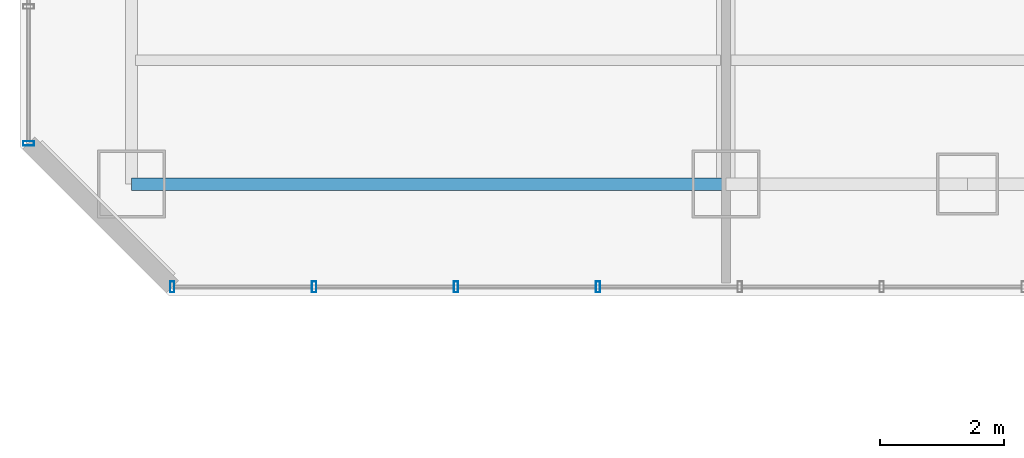
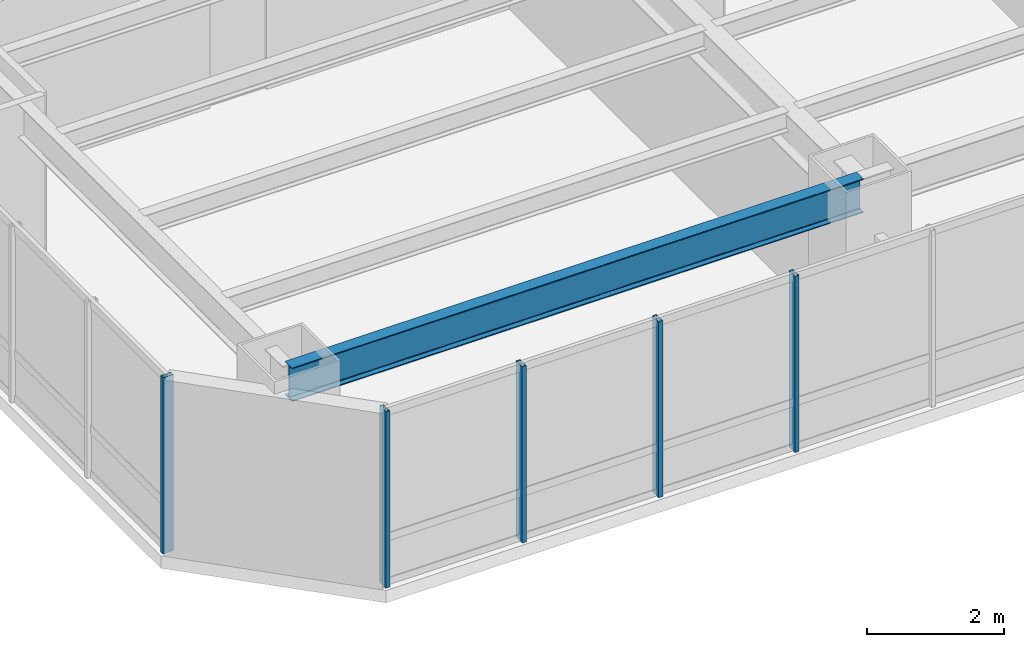
# One storey, part 2 of 33: 5 members, 1 beam, 2 elements without a shape of their own.
"""IFC4 building model written with IfcOpenShell, lengths in metres."""

from ifc_helpers import new_model, si_unit, direction, frame, origin, origin_2d, place, context, subcontext, project, spatial, hollow_rectangle, i_section, extrude, material, layer, layer_set, material_profile, profile_set, type_object, element, aggregate, save


model = new_model("IFC4")

# Units and contexts
model_context = context("Model", 3, precision=1e-05, world=origin(), true_north=direction((0.0, 1.0)))
body_context = subcontext(model_context, "Body", "Model", "MODEL_VIEW")
ifc_project = project(units=[si_unit("LENGTHUNIT", "METRE"), si_unit("AREAUNIT", "SQUARE_METRE"), si_unit("VOLUMEUNIT", "CUBIC_METRE"), si_unit("PLANEANGLEUNIT", "RADIAN"), si_unit("MASSUNIT", "GRAM", prefix="KILO")], contexts=[model_context])

# Site, building, storey
site_placement = place(None, origin())
site = spatial("IfcSite", under=ifc_project, at=site_placement, CompositionType="ELEMENT")
building_placement = place(site_placement, origin())
building = spatial("IfcBuilding", under=site, at=building_placement, Name="Hatsunagi Terrace Concourse", CompositionType="ELEMENT")
storey_placement = place(building_placement, frame((0.0, 0.0, 53.35009765625)))
storey = spatial("IfcBuildingStorey", under=building, at=storey_placement, Name="L13", CompositionType="ELEMENT", Elevation=53.35009765625)

# Curtain wall, members
ifc_material_1 = material(Name="Anodised Aluminium Alloy 6063-T5", Category="aluminium")
ifc_layer = layer(ifc_material_1, 0.199951171875)
ifc_layer_set = layer_set([ifc_layer], Name="HotelFacade_CW02")
curtain_wall_type = type_object("IfcCurtainWallType", Name="HotelFacade_CW02", PredefinedType="NOTDEFINED", material=ifc_layer_set)
curtain_wall_1_placement = place(storey_placement, origin())
curtain_wall_1 = element("IfcCurtainWall", 1, at=curtain_wall_1_placement, inside=storey, type_object=curtain_wall_type, Name="Unitised Curtain Wall CW-02 CW-L13-07", PredefinedType="NOTDEFINED")
ifc_material_2 = material(Name="Anodised Aluminium Alloy 6063-T5", Category="aluminium")
ifc_material_profile_1 = material_profile(ifc_material_2, hollow_rectangle(XDim=0.070068359375, YDim=0.179931640625, WallThickness=0.00390625, at=origin_2d()), Name="ALU-MUL-180x70x4")
ifc_profile_set_1 = profile_set([ifc_material_profile_1], Name="Anodised Aluminium Alloy 6063-T5")
member_type = type_object("IfcMemberType", Name="CurtainWallMullion_180x70", PredefinedType="MULLION", material=ifc_profile_set_1)
member_1_placement = place(storey_placement, frame((9.3330078125, 23.5400390625, 0.0), z_axis=(0.0, 0.0, 1.0), x_axis=(-1.0, 0.0, 0.0)))
member_1 = element("IfcMember", 2, at=member_1_placement, type_object=member_type, Name="Curtain Wall Mullion MUL-02", PredefinedType="MULLION", context=body_context, shape_type="SweptSolid", body=[
    extrude(hollow_rectangle(XDim=0.070068359375, YDim=0.179931640625, WallThickness=0.00390625, at=origin_2d()), origin(), (0.0, 0.0, 1.0), 3.1298828125),
])
member_2_placement = place(storey_placement, frame((7.041015625, 23.5400390625, 0.0), z_axis=(0.0, 0.0, 1.0), x_axis=(-1.0, 0.0, 0.0)))
member_2 = element("IfcMember", 3, at=member_2_placement, type_object=member_type, Name="Curtain Wall Mullion MUL-02", PredefinedType="MULLION", context=body_context, shape_type="SweptSolid", body=[
    extrude(hollow_rectangle(XDim=0.070068359375, YDim=0.179931640625, WallThickness=0.00390625, at=origin_2d()), origin(), (0.0, 0.0, 1.0), 3.1298828125),
])
member_3_placement = place(storey_placement, frame((4.75, 23.5400390625, 0.0), z_axis=(0.0, 0.0, 1.0), x_axis=(-1.0, 0.0, 0.0)))
member_3 = element("IfcMember", 4, at=member_3_placement, type_object=member_type, Name="Curtain Wall Mullion MUL-02", PredefinedType="MULLION", context=body_context, shape_type="SweptSolid", body=[
    extrude(hollow_rectangle(XDim=0.070068359375, YDim=0.179931640625, WallThickness=0.00390625, at=origin_2d()), origin(), (0.0, 0.0, 1.0), 3.1298828125),
])
member_4_placement = place(storey_placement, frame((2.4580078125, 23.5400390625, 0.0), z_axis=(0.0, 0.0, 1.0), x_axis=(-1.0, 0.0, 0.0)))
member_4 = element("IfcMember", 5, at=member_4_placement, type_object=member_type, Name="Curtain Wall Mullion MUL-02", PredefinedType="MULLION", context=body_context, shape_type="SweptSolid", body=[
    extrude(hollow_rectangle(XDim=0.070068359375, YDim=0.179931640625, WallThickness=0.00390625, at=origin_2d()), origin(), (0.0, 0.0, 1.0), 3.1298828125),
])
aggregate(curtain_wall_1, [member_1, member_2, member_3, member_4])

# Curtain wall, member
curtain_wall_2_placement = place(storey_placement, origin())
curtain_wall_2 = element("IfcCurtainWall", 6, at=curtain_wall_2_placement, inside=storey, type_object=curtain_wall_type, Name="Unitised Curtain Wall CW-02 CW-L13-09", PredefinedType="NOTDEFINED")
member_5_placement = place(storey_placement, frame((0.139892578125, 25.85791015625, 0.0), z_axis=(0.0, 0.0, 1.0), x_axis=(0.0, 1.0, 0.0)))
member_5 = element("IfcMember", 7, at=member_5_placement, type_object=member_type, Name="Curtain Wall Mullion MUL-02", PredefinedType="MULLION", context=body_context, shape_type="SweptSolid", body=[
    extrude(hollow_rectangle(XDim=0.070068359375, YDim=0.179931640625, WallThickness=0.00390625, at=origin_2d()), origin(), (0.0, 0.0, 1.0), 3.1298828125),
])
aggregate(curtain_wall_2, [member_5])

# Beam
ifc_material_3 = material(Name="Steel SN490B", Category="steel")
ifc_material_profile_2 = material_profile(ifc_material_3, i_section(OverallWidth=0.199951171875, OverallDepth=0.60009765625, WebThickness=0.010986328125, FlangeThickness=0.01708984375, FilletRadius=0.01806640625, at=origin_2d()), Name="H-600x200x11x17")
ifc_profile_set_2 = profile_set([ifc_material_profile_2], Name="Steel SN490B")
beam_type = type_object("IfcBeamType", Name="PerimeterSpandrel_H_600x200", PredefinedType="SPANDREL", material=ifc_profile_set_2)
beam_placement = place(storey_placement, frame((1.800048828125, 25.199951171875, 2.829833984375), z_axis=(1.0, 0.0, 0.0), x_axis=(0.0, 1.0, 0.0)))
element("IfcBeam", 8, at=beam_placement, inside=storey, type_object=beam_type, Name="Beam SP-01 BM-L13-WS-1", PredefinedType="SPANDREL", context=body_context, shape_type="SweptSolid", body=[
    extrude(i_section(OverallWidth=0.199951171875, OverallDepth=0.60009765625, WebThickness=0.010986328125, FlangeThickness=0.01708984375, FilletRadius=0.01806640625, at=origin_2d()), origin(), (0.0, 0.0, 1.0), 9.599853515625),
])

save(model, "model.ifc")
